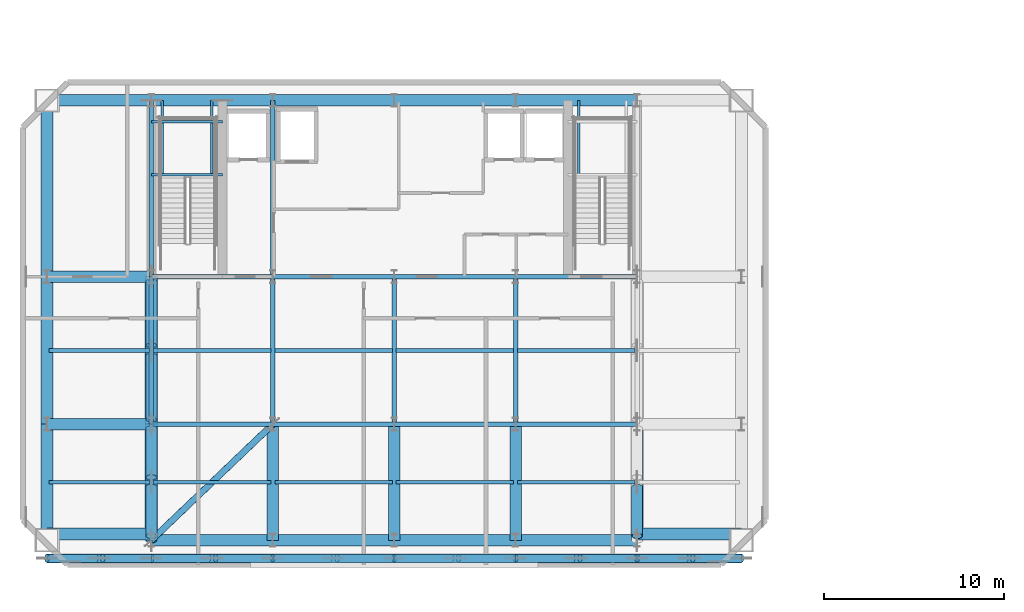
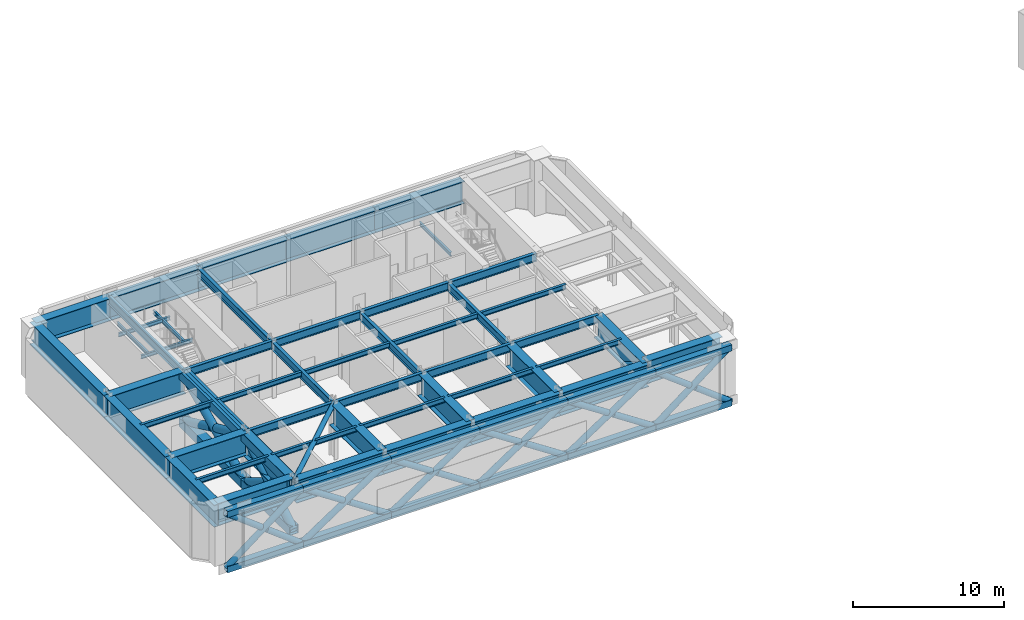
# One storey, part 3 of 15: 50 beams, 42 members.
"""IFC4 building model written with IfcOpenShell, lengths in metres."""

from ifc_helpers import new_model, si_unit, direction, frame, origin, origin_2d, place, context, subcontext, project, spatial, hollow_rectangle, hollow_circle, i_section, extrude, material, material_profile, profile_set, type_object, element, save


model = new_model("IFC4")

# Units and contexts
model_context = context("Model", 3, precision=1e-05, world=origin(), true_north=direction((0.0, 1.0)))
body_context = subcontext(model_context, "Body", "Model", "MODEL_VIEW")
ifc_project = project(units=[si_unit("LENGTHUNIT", "METRE"), si_unit("AREAUNIT", "SQUARE_METRE"), si_unit("VOLUMEUNIT", "CUBIC_METRE"), si_unit("PLANEANGLEUNIT", "RADIAN"), si_unit("MASSUNIT", "GRAM", prefix="KILO")], contexts=[model_context])

# Site, building, storey
site_placement = place(None, origin())
site = spatial("IfcSite", under=ifc_project, at=site_placement, CompositionType="ELEMENT")
building_placement = place(site_placement, origin())
building = spatial("IfcBuilding", under=site, at=building_placement, Name="Haevon Station Towers", CompositionType="ELEMENT")
storey_placement = place(building_placement, frame((0.0, 0.0, 192.300048828125)))
storey = spatial("IfcBuildingStorey", under=building, at=storey_placement, Name="L53", CompositionType="ELEMENT", Elevation=192.300048828125)

# Beams
ifc_material_1 = material(Name="Steel S355", Category="steel")
ifc_material_profile_1 = material_profile(ifc_material_1, i_section(OverallWidth=0.25, OverallDepth=0.64990234375, WebThickness=0.012939453125, FlangeThickness=0.02197265625, at=origin_2d()), Name="H-650x250x13x22")
ifc_profile_set_1 = profile_set([ifc_material_profile_1], Name="Steel S355")
beam_type_1 = type_object("IfcBeamType", Name="BM-G650", PredefinedType="BEAM", material=ifc_profile_set_1)
for number, where, z_axis, x_axis, name in (
    (1, (24.0, 30.0, 4.175048828125), (1.0, 0.0, 0.0), (0.0, 1.0, 0.0), "BM-T1U-L53-02-02"),
    (2, (30.75, 30.0, 4.175048828125), (1.0, 0.0, 0.0), (0.0, 1.0, 0.0), "BM-T1U-L53-02-03"),
    (3, (37.5, 30.0, 4.175048828125), (1.0, 0.0, 0.0), (0.0, 1.0, 0.0), "BM-T1U-L53-02-04"),
    (4, (44.25, 30.0, 4.175048828125), (1.0, 0.0, 0.0), (0.0, 1.0, 0.0), "BM-T1U-L53-02-05"),
    (5, (24.0, 38.199951171875, 4.175048828125), (1.0, 0.0, 0.0), (0.0, 1.0, 0.0), "BM-T1U-L53-03-02"),
    (6, (30.75, 38.199951171875, 4.175048828125), (1.0, 0.0, 0.0), (0.0, 1.0, 0.0), "BM-T1U-L53-03-03"),
    (7, (37.5, 38.199951171875, 4.175048828125), (1.0, 0.0, 0.0), (0.0, 1.0, 0.0), "BM-T1U-L53-03-04"),
    (8, (44.25, 38.199951171875, 4.175048828125), (1.0, 0.0, 0.0), (0.0, 1.0, 0.0), "BM-T1U-L53-03-05"),
):
    element("IfcBeam", number, at=place(storey_placement, frame(where, z_axis=z_axis, x_axis=x_axis)), inside=storey, type_object=beam_type_1, Name=name, PredefinedType="BEAM", context=body_context, shape_type="SweptSolid", body=[
        extrude(i_section(OverallWidth=0.25, OverallDepth=0.64990234375, WebThickness=0.012939453125, FlangeThickness=0.02197265625, at=origin_2d()), origin(), (0.0, 0.0, 1.0), 6.75),
    ])
beam_1_placement = place(storey_placement, frame((24.0, 30.0, 4.175048828125), z_axis=(0.0, 1.0, 0.0), x_axis=(-1.0, 0.0, 0.0)))
element("IfcBeam", 9, at=beam_1_placement, inside=storey, type_object=beam_type_1, Name="BM-T1V-L53-02-02", PredefinedType="BEAM", context=body_context, shape_type="SweptSolid", body=[
    extrude(i_section(OverallWidth=0.25, OverallDepth=0.64990234375, WebThickness=0.012939453125, FlangeThickness=0.02197265625, at=origin_2d()), origin(), (0.0, 0.0, 1.0), 8.199951171875),
])
beam_2_placement = place(storey_placement, frame((24.0, 38.199951171875, 4.175048828125), z_axis=(0.0, 1.0, 0.0), x_axis=(-1.0, 0.0, 0.0)))
element("IfcBeam", 10, at=beam_2_placement, inside=storey, type_object=beam_type_1, Name="BM-T1V-L53-02-03", PredefinedType="BEAM", context=body_context, shape_type="SweptSolid", body=[
    extrude(i_section(OverallWidth=0.25, OverallDepth=0.64990234375, WebThickness=0.012939453125, FlangeThickness=0.02197265625, at=origin_2d()), origin(), (0.0, 0.0, 1.0), 9.800048828125),
])
beam_3_placement = place(storey_placement, frame((30.75, 30.0, 4.175048828125), z_axis=(0.0, 1.0, 0.0), x_axis=(-1.0, 0.0, 0.0)))
element("IfcBeam", 11, at=beam_3_placement, inside=storey, type_object=beam_type_1, Name="BM-T1V-L53-03-02", PredefinedType="BEAM", context=body_context, shape_type="SweptSolid", body=[
    extrude(i_section(OverallWidth=0.25, OverallDepth=0.64990234375, WebThickness=0.012939453125, FlangeThickness=0.02197265625, at=origin_2d()), origin(), (0.0, 0.0, 1.0), 8.199951171875),
])
beam_4_placement = place(storey_placement, frame((30.75, 38.199951171875, 4.175048828125), z_axis=(0.0, 1.0, 0.0), x_axis=(-1.0, 0.0, 0.0)))
element("IfcBeam", 12, at=beam_4_placement, inside=storey, type_object=beam_type_1, Name="BM-T1V-L53-03-03", PredefinedType="BEAM", context=body_context, shape_type="SweptSolid", body=[
    extrude(i_section(OverallWidth=0.25, OverallDepth=0.64990234375, WebThickness=0.012939453125, FlangeThickness=0.02197265625, at=origin_2d()), origin(), (0.0, 0.0, 1.0), 9.800048828125),
])
for number, where, z_axis, x_axis, name in (
    (13, (37.5, 30.0, 4.175048828125), (0.0, 1.0, 0.0), (-1.0, 0.0, 0.0), "BM-T1V-L53-04-02"),
    (14, (44.25, 30.0, 4.175048828125), (0.0, 1.0, 0.0), (-1.0, 0.0, 0.0), "BM-T1V-L53-05-02"),
):
    element("IfcBeam", number, at=place(storey_placement, frame(where, z_axis=z_axis, x_axis=x_axis)), inside=storey, type_object=beam_type_1, Name=name, PredefinedType="BEAM", context=body_context, shape_type="SweptSolid", body=[
        extrude(i_section(OverallWidth=0.25, OverallDepth=0.64990234375, WebThickness=0.012939453125, FlangeThickness=0.02197265625, at=origin_2d()), origin(), (0.0, 0.0, 1.0), 8.199951171875),
    ])
ifc_material_profile_2 = material_profile(ifc_material_1, i_section(OverallWidth=0.199951171875, OverallDepth=0.39990234375, WebThickness=0.008056640625, FlangeThickness=0.012939453125, at=origin_2d()), Name="H-400x200x8x13")
ifc_profile_set_2 = profile_set([ifc_material_profile_2], Name="Steel S355")
beam_type_2 = type_object("IfcBeamType", Name="BM-J400", PredefinedType="JOIST", material=ifc_profile_set_2)
beam_5_placement = place(storey_placement, frame((18.31005859375, 26.77490234375, 4.300048828125), z_axis=(1.0, 0.0, 0.0), x_axis=(0.0, 1.0, 0.0)))
element("IfcBeam", 15, at=beam_5_placement, inside=storey, type_object=beam_type_2, Name="BM-T1J-L53-01-01", PredefinedType="JOIST", context=body_context, shape_type="SweptSolid", body=[
    extrude(i_section(OverallWidth=0.199951171875, OverallDepth=0.39990234375, WebThickness=0.008056640625, FlangeThickness=0.012939453125, at=origin_2d()), origin(), (0.0, 0.0, 1.0), 5.579833984375),
])
for number, where, z_axis, x_axis, name in (
    (16, (24.110107421875, 26.77490234375, 4.300048828125), (1.0, 0.0, 0.0), (0.0, 1.0, 0.0), "BM-T1J-L53-01-02"),
    (17, (30.860107421875, 26.77490234375, 4.300048828125), (1.0, 0.0, 0.0), (0.0, 1.0, 0.0), "BM-T1J-L53-01-03"),
    (18, (37.610107421875, 26.77490234375, 4.300048828125), (1.0, 0.0, 0.0), (0.0, 1.0, 0.0), "BM-T1J-L53-01-04"),
    (19, (44.360107421875, 26.77490234375, 4.300048828125), (1.0, 0.0, 0.0), (0.0, 1.0, 0.0), "BM-T1J-L53-01-05"),
):
    element("IfcBeam", number, at=place(storey_placement, frame(where, z_axis=z_axis, x_axis=x_axis)), inside=storey, type_object=beam_type_2, Name=name, PredefinedType="JOIST", context=body_context, shape_type="SweptSolid", body=[
        extrude(i_section(OverallWidth=0.199951171875, OverallDepth=0.39990234375, WebThickness=0.008056640625, FlangeThickness=0.012939453125, at=origin_2d()), origin(), (0.0, 0.0, 1.0), 6.52978515625),
    ])
beam_6_placement = place(storey_placement, frame((18.31005859375, 34.10009765625, 4.300048828125), z_axis=(1.0, 0.0, 0.0), x_axis=(0.0, 1.0, 0.0)))
element("IfcBeam", 20, at=beam_6_placement, inside=storey, type_object=beam_type_2, Name="BM-T1J-L53-02-01", PredefinedType="JOIST", context=body_context, shape_type="SweptSolid", body=[
    extrude(i_section(OverallWidth=0.199951171875, OverallDepth=0.39990234375, WebThickness=0.008056640625, FlangeThickness=0.012939453125, at=origin_2d()), origin(), (0.0, 0.0, 1.0), 5.579833984375),
])
for number, where, z_axis, x_axis, name in (
    (21, (24.110107421875, 34.10009765625, 4.300048828125), (1.0, 0.0, 0.0), (0.0, 1.0, 0.0), "BM-T1J-L53-02-02"),
    (22, (30.860107421875, 34.10009765625, 4.300048828125), (1.0, 0.0, 0.0), (0.0, 1.0, 0.0), "BM-T1J-L53-02-03"),
    (23, (37.610107421875, 34.10009765625, 4.300048828125), (1.0, 0.0, 0.0), (0.0, 1.0, 0.0), "BM-T1J-L53-02-04"),
    (24, (44.360107421875, 34.10009765625, 4.300048828125), (1.0, 0.0, 0.0), (0.0, 1.0, 0.0), "BM-T1J-L53-02-05"),
):
    element("IfcBeam", number, at=place(storey_placement, frame(where, z_axis=z_axis, x_axis=x_axis)), inside=storey, type_object=beam_type_2, Name=name, PredefinedType="JOIST", context=body_context, shape_type="SweptSolid", body=[
        extrude(i_section(OverallWidth=0.199951171875, OverallDepth=0.39990234375, WebThickness=0.008056640625, FlangeThickness=0.012939453125, at=origin_2d()), origin(), (0.0, 0.0, 1.0), 6.52978515625),
    ])
ifc_material_profile_3 = material_profile(ifc_material_1, i_section(OverallWidth=0.14990234375, OverallDepth=0.300048828125, WebThickness=0.006591796875, FlangeThickness=0.009033203125, at=origin_2d()), Name="H-300x150x6.5x9")
ifc_profile_set_3 = profile_set([ifc_material_profile_3], Name="Steel S355")
beam_type_3 = type_object("IfcBeamType", Name="BM-LIN300", PredefinedType="LINTEL", material=ifc_profile_set_3)
for number, where, z_axis, x_axis, name in (
    (25, (24.0, 43.864013671875, 2.050048828125), (1.0, 0.0, 0.0), (0.0, 1.0, 0.0), "BM-ST1L-L53-1-S"),
    (26, (24.0, 46.820068359375, 2.050048828125), (1.0, 0.0, 0.0), (0.0, 1.0, 0.0), "BM-ST1L-L53-1-N"),
):
    element("IfcBeam", number, at=place(storey_placement, frame(where, z_axis=z_axis, x_axis=x_axis)), inside=storey, type_object=beam_type_3, Name=name, PredefinedType="LINTEL", context=body_context, shape_type="SweptSolid", body=[
        extrude(i_section(OverallWidth=0.14990234375, OverallDepth=0.300048828125, WebThickness=0.006591796875, FlangeThickness=0.009033203125, at=origin_2d()), origin(), (0.0, 0.0, 1.0), 3.949951171875),
    ])
for number, where, z_axis, x_axis, name in (
    (27, (24.60009765625, 43.864013671875, 2.050048828125), (0.0, 1.0, 0.0), (-1.0, 0.0, 0.0), "BM-ST1L-L53-1-W"),
    (28, (27.35009765625, 43.864013671875, 2.050048828125), (0.0, 1.0, 0.0), (-1.0, 0.0, 0.0), "BM-ST1L-L53-1-E"),
    (29, (47.75, 43.864013671875, 2.050048828125), (0.0, 1.0, 0.0), (-1.0, 0.0, 0.0), "BM-ST2L-L53-1-W"),
):
    element("IfcBeam", number, at=place(storey_placement, frame(where, z_axis=z_axis, x_axis=x_axis)), inside=storey, type_object=beam_type_3, Name=name, PredefinedType="LINTEL", context=body_context, shape_type="SweptSolid", body=[
        extrude(i_section(OverallWidth=0.14990234375, OverallDepth=0.300048828125, WebThickness=0.006591796875, FlangeThickness=0.009033203125, at=origin_2d()), origin(), (0.0, 0.0, 1.0), 4.135986328125),
    ])
ifc_material_2 = material(Name="Steel S460", Category="steel")
ifc_material_profile_4 = material_profile(ifc_material_2, i_section(OverallWidth=0.64990234375, OverallDepth=1.800048828125, WebThickness=0.02490234375, FlangeThickness=0.0400390625, at=origin_2d()), Name="H-1800x650x25x40")
ifc_profile_set_4 = profile_set([ifc_material_profile_4], Name="Steel S460")
beam_type_4 = type_object("IfcBeamType", Name="BM-TG1800", PredefinedType="BEAM", material=ifc_profile_set_4)
for number, where, z_axis, x_axis, name in (
    (30, (24.0, 23.550048828125, 3.599853515625), (1.0, 0.0, 0.0), (0.0, 1.0, 0.0), "BM-T1U-L53-01-02"),
    (31, (30.75, 23.550048828125, 3.599853515625), (1.0, 0.0, 0.0), (0.0, 1.0, 0.0), "BM-T1U-L53-01-03"),
    (32, (37.5, 23.550048828125, 3.599853515625), (1.0, 0.0, 0.0), (0.0, 1.0, 0.0), "BM-T1U-L53-01-04"),
    (33, (44.25, 23.550048828125, 3.599853515625), (1.0, 0.0, 0.0), (0.0, 1.0, 0.0), "BM-T1U-L53-01-05"),
):
    element("IfcBeam", number, at=place(storey_placement, frame(where, z_axis=z_axis, x_axis=x_axis)), inside=storey, type_object=beam_type_4, Name=name, PredefinedType="BEAM", context=body_context, shape_type="SweptSolid", body=[
        extrude(i_section(OverallWidth=0.64990234375, OverallDepth=1.800048828125, WebThickness=0.02490234375, FlangeThickness=0.0400390625, at=origin_2d()), origin(), (0.0, 0.0, 1.0), 6.75),
    ])
for number, where, z_axis, x_axis, name in (
    (34, (18.199951171875, 30.0, 3.599853515625), (1.0, 0.0, 0.0), (0.0, 1.0, 0.0), "BM-T1U-L53-02-01"),
    (35, (18.199951171875, 38.199951171875, 3.599853515625), (1.0, 0.0, 0.0), (0.0, 1.0, 0.0), "BM-T1U-L53-03-01"),
    (36, (18.199951171875, 48.0, 3.599853515625), (1.0, 0.0, 0.0), (0.0, 1.0, 0.0), "BM-T1U-L53-04-01"),
):
    element("IfcBeam", number, at=place(storey_placement, frame(where, z_axis=z_axis, x_axis=x_axis)), inside=storey, type_object=beam_type_4, Name=name, PredefinedType="BEAM", context=body_context, shape_type="SweptSolid", body=[
        extrude(i_section(OverallWidth=0.64990234375, OverallDepth=1.800048828125, WebThickness=0.02490234375, FlangeThickness=0.0400390625, at=origin_2d()), origin(), (0.0, 0.0, 1.0), 5.800048828125),
    ])
for number, where, z_axis, x_axis, name in (
    (37, (24.0, 48.0, 3.599853515625), (1.0, 0.0, 0.0), (0.0, 1.0, 0.0), "BM-T1U-L53-04-02"),
    (38, (30.75, 48.0, 3.599853515625), (1.0, 0.0, 0.0), (0.0, 1.0, 0.0), "BM-T1U-L53-04-03"),
    (39, (37.5, 48.0, 3.599853515625), (1.0, 0.0, 0.0), (0.0, 1.0, 0.0), "BM-T1U-L53-04-04"),
    (40, (44.25, 48.0, 3.599853515625), (1.0, 0.0, 0.0), (0.0, 1.0, 0.0), "BM-T1U-L53-04-05"),
):
    element("IfcBeam", number, at=place(storey_placement, frame(where, z_axis=z_axis, x_axis=x_axis)), inside=storey, type_object=beam_type_4, Name=name, PredefinedType="BEAM", context=body_context, shape_type="SweptSolid", body=[
        extrude(i_section(OverallWidth=0.64990234375, OverallDepth=1.800048828125, WebThickness=0.02490234375, FlangeThickness=0.0400390625, at=origin_2d()), origin(), (0.0, 0.0, 1.0), 6.75),
    ])
beam_7_placement = place(storey_placement, frame((18.199951171875, 23.550048828125, 3.599853515625), z_axis=(0.0, 1.0, 0.0), x_axis=(-1.0, 0.0, 0.0)))
element("IfcBeam", 41, at=beam_7_placement, inside=storey, type_object=beam_type_4, Name="BM-T1V-L53-01-01", PredefinedType="BEAM", context=body_context, shape_type="SweptSolid", body=[
    extrude(i_section(OverallWidth=0.64990234375, OverallDepth=1.800048828125, WebThickness=0.02490234375, FlangeThickness=0.0400390625, at=origin_2d()), origin(), (0.0, 0.0, 1.0), 6.449951171875),
])
beam_8_placement = place(storey_placement, frame((18.199951171875, 30.0, 3.599853515625), z_axis=(0.0, 1.0, 0.0), x_axis=(-1.0, 0.0, 0.0)))
element("IfcBeam", 42, at=beam_8_placement, inside=storey, type_object=beam_type_4, Name="BM-T1V-L53-01-02", PredefinedType="BEAM", context=body_context, shape_type="SweptSolid", body=[
    extrude(i_section(OverallWidth=0.64990234375, OverallDepth=1.800048828125, WebThickness=0.02490234375, FlangeThickness=0.0400390625, at=origin_2d()), origin(), (0.0, 0.0, 1.0), 8.199951171875),
])
beam_9_placement = place(storey_placement, frame((18.199951171875, 38.199951171875, 3.599853515625), z_axis=(0.0, 1.0, 0.0), x_axis=(-1.0, 0.0, 0.0)))
element("IfcBeam", 43, at=beam_9_placement, inside=storey, type_object=beam_type_4, Name="BM-T1V-L53-01-03", PredefinedType="BEAM", context=body_context, shape_type="SweptSolid", body=[
    extrude(i_section(OverallWidth=0.64990234375, OverallDepth=1.800048828125, WebThickness=0.02490234375, FlangeThickness=0.0400390625, at=origin_2d()), origin(), (0.0, 0.0, 1.0), 9.800048828125),
])
for number, where, z_axis, x_axis, name in (
    (44, (24.0, 23.550048828125, 3.599853515625), (0.0, 1.0, 0.0), (-1.0, 0.0, 0.0), "BM-T1V-L53-02-01"),
    (45, (30.75, 23.550048828125, 3.599853515625), (0.0, 1.0, 0.0), (-1.0, 0.0, 0.0), "BM-T1V-L53-03-01"),
    (46, (37.5, 23.550048828125, 3.599853515625), (0.0, 1.0, 0.0), (-1.0, 0.0, 0.0), "BM-T1V-L53-04-01"),
    (47, (44.25, 23.550048828125, 3.599853515625), (0.0, 1.0, 0.0), (-1.0, 0.0, 0.0), "BM-T1V-L53-05-01"),
    (48, (51.0, 23.550048828125, 3.599853515625), (0.0, 1.0, 0.0), (-1.0, 0.0, 0.0), "BM-T1V-L53-06-01"),
):
    element("IfcBeam", number, at=place(storey_placement, frame(where, z_axis=z_axis, x_axis=x_axis)), inside=storey, type_object=beam_type_4, Name=name, PredefinedType="BEAM", context=body_context, shape_type="SweptSolid", body=[
        extrude(i_section(OverallWidth=0.64990234375, OverallDepth=1.800048828125, WebThickness=0.02490234375, FlangeThickness=0.0400390625, at=origin_2d()), origin(), (0.0, 0.0, 1.0), 6.449951171875),
    ])
for number, where, z_axis, x_axis, name in (
    (49, (18.199951171875, 23.89990234375, 3.599853515625), (1.0, 0.0, 0.0), (0.0, 1.0, 0.0), "BM-T1CTRN-L53-1"),
    (50, (51.0, 23.89990234375, 3.599853515625), (1.0, 0.0, 0.0), (0.0, 1.0, 0.0), "BM-T1CTRN-L53-2"),
):
    element("IfcBeam", number, at=place(storey_placement, frame(where, z_axis=z_axis, x_axis=x_axis)), inside=storey, type_object=beam_type_4, Name=name, PredefinedType="BEAM", context=body_context, shape_type="SweptSolid", body=[
        extrude(i_section(OverallWidth=0.64990234375, OverallDepth=1.800048828125, WebThickness=0.02490234375, FlangeThickness=0.0400390625, at=origin_2d()), origin(), (0.0, 0.0, 1.0), 5.800048828125),
    ])

# Members
ifc_material_profile_5 = material_profile(ifc_material_2, hollow_circle(Radius=0.228515625, WallThickness=0.02001953125, at=origin_2d()), Name="CHS-457x20")
ifc_profile_set_5 = profile_set([ifc_material_profile_5], Name="Steel S460")
member_type_1 = type_object("IfcMemberType", Name="BRBLT-457", PredefinedType="BRACE", material=ifc_profile_set_5)
member_1_placement = place(storey_placement, frame((18.199951171875, 22.550048828125, -0.080078125), z_axis=(0.792730656289, 0.0, 0.609572068405), x_axis=(0.0, 1.0, 0.0)))
element("IfcMember", 51, at=member_1_placement, inside=storey, type_object=member_type_1, Name="Tower 1 L53 Belt Truss Continuous Diagonal", PredefinedType="BRACE", context=body_context, shape_type="SweptSolid", body=[
    extrude(hollow_circle(Radius=0.228515625, WallThickness=0.02001953125, at=origin_2d()), origin(), (0.0, 0.0, 1.0), 7.316650390625),
])
for number, where, z_axis, x_axis, name in (
    (52, (18.199951171875, 22.550048828125, 4.3798828125), (0.792759399457, 0.0, -0.609534686932), (0.0, 1.0, 0.0), "Tower 1 L53 Belt Truss Split Counter Diagonal Lower"),
    (53, (21.290771484375, 22.550048828125, 2.00341796875), (0.792698337857, 0.0, -0.609614095276), (0.0, 1.0, 0.0), "Tower 1 L53 Belt Truss Split Counter Diagonal Upper"),
):
    element("IfcMember", number, at=place(storey_placement, frame(where, z_axis=z_axis, x_axis=x_axis)), inside=storey, type_object=member_type_1, Name=name, PredefinedType="BRACE", context=body_context, shape_type="SweptSolid", body=[
        extrude(hollow_circle(Radius=0.228515625, WallThickness=0.02001953125, at=origin_2d()), origin(), (0.0, 0.0, 1.0), 3.417724609375),
    ])
member_2_placement = place(storey_placement, frame((24.0, 22.550048828125, -0.080078125), z_axis=(0.834327389543, 0.0, 0.551269269104), x_axis=(0.0, 1.0, 0.0)))
element("IfcMember", 54, at=member_2_placement, inside=storey, type_object=member_type_1, Name="Tower 1 L53 Belt Truss Continuous Diagonal", PredefinedType="BRACE", context=body_context, shape_type="SweptSolid", body=[
    extrude(hollow_circle(Radius=0.228515625, WallThickness=0.02001953125, at=origin_2d()), origin(), (0.0, 0.0, 1.0), 8.09033203125),
])
for number, where, z_axis, x_axis, name in (
    (55, (24.0, 22.550048828125, 4.3798828125), (0.834323725923, 0.0, -0.551274813829), (0.0, 1.0, 0.0), "Tower 1 L53 Belt Truss Split Counter Diagonal Lower"),
    (56, (27.57568359375, 22.550048828125, 2.017333984375), (0.834323725923, 0.0, -0.551274813829), (0.0, 1.0, 0.0), "Tower 1 L53 Belt Truss Split Counter Diagonal Upper"),
):
    element("IfcMember", number, at=place(storey_placement, frame(where, z_axis=z_axis, x_axis=x_axis)), inside=storey, type_object=member_type_1, Name=name, PredefinedType="BRACE", context=body_context, shape_type="SweptSolid", body=[
        extrude(hollow_circle(Radius=0.228515625, WallThickness=0.02001953125, at=origin_2d()), origin(), (0.0, 0.0, 1.0), 3.8046875),
    ])
member_3_placement = place(storey_placement, frame((30.75, 22.550048828125, -0.080078125), z_axis=(0.834327389543, 0.0, 0.551269269104), x_axis=(0.0, 1.0, 0.0)))
element("IfcMember", 57, at=member_3_placement, inside=storey, type_object=member_type_1, Name="Tower 1 L53 Belt Truss Continuous Diagonal", PredefinedType="BRACE", context=body_context, shape_type="SweptSolid", body=[
    extrude(hollow_circle(Radius=0.228515625, WallThickness=0.02001953125, at=origin_2d()), origin(), (0.0, 0.0, 1.0), 8.09033203125),
])
for number, where, z_axis, x_axis, name in (
    (58, (30.75, 22.550048828125, 4.3798828125), (0.834323725923, 0.0, -0.551274813829), (0.0, 1.0, 0.0), "Tower 1 L53 Belt Truss Split Counter Diagonal Lower"),
    (59, (34.32568359375, 22.550048828125, 2.017333984375), (0.834323725923, 0.0, -0.551274813829), (0.0, 1.0, 0.0), "Tower 1 L53 Belt Truss Split Counter Diagonal Upper"),
):
    element("IfcMember", number, at=place(storey_placement, frame(where, z_axis=z_axis, x_axis=x_axis)), inside=storey, type_object=member_type_1, Name=name, PredefinedType="BRACE", context=body_context, shape_type="SweptSolid", body=[
        extrude(hollow_circle(Radius=0.228515625, WallThickness=0.02001953125, at=origin_2d()), origin(), (0.0, 0.0, 1.0), 3.8046875),
    ])
member_4_placement = place(storey_placement, frame((37.5, 22.550048828125, -0.080078125), z_axis=(0.834327389543, 0.0, 0.551269269104), x_axis=(0.0, 1.0, 0.0)))
element("IfcMember", 60, at=member_4_placement, inside=storey, type_object=member_type_1, Name="Tower 1 L53 Belt Truss Continuous Diagonal", PredefinedType="BRACE", context=body_context, shape_type="SweptSolid", body=[
    extrude(hollow_circle(Radius=0.228515625, WallThickness=0.02001953125, at=origin_2d()), origin(), (0.0, 0.0, 1.0), 8.09033203125),
])
for number, where, z_axis, x_axis, name in (
    (61, (37.5, 22.550048828125, 4.3798828125), (0.834323725923, 0.0, -0.551274813829), (0.0, 1.0, 0.0), "Tower 1 L53 Belt Truss Split Counter Diagonal Lower"),
    (62, (41.07568359375, 22.550048828125, 2.017333984375), (0.834323725923, 0.0, -0.551274813829), (0.0, 1.0, 0.0), "Tower 1 L53 Belt Truss Split Counter Diagonal Upper"),
):
    element("IfcMember", number, at=place(storey_placement, frame(where, z_axis=z_axis, x_axis=x_axis)), inside=storey, type_object=member_type_1, Name=name, PredefinedType="BRACE", context=body_context, shape_type="SweptSolid", body=[
        extrude(hollow_circle(Radius=0.228515625, WallThickness=0.02001953125, at=origin_2d()), origin(), (0.0, 0.0, 1.0), 3.8046875),
    ])
member_5_placement = place(storey_placement, frame((44.25, 22.550048828125, -0.080078125), z_axis=(0.834327389543, 0.0, 0.551269269104), x_axis=(0.0, 1.0, 0.0)))
element("IfcMember", 63, at=member_5_placement, inside=storey, type_object=member_type_1, Name="Tower 1 L53 Belt Truss Continuous Diagonal", PredefinedType="BRACE", context=body_context, shape_type="SweptSolid", body=[
    extrude(hollow_circle(Radius=0.228515625, WallThickness=0.02001953125, at=origin_2d()), origin(), (0.0, 0.0, 1.0), 8.09033203125),
])
for number, where, z_axis, x_axis, name in (
    (64, (44.25, 22.550048828125, 4.3798828125), (0.834323725923, 0.0, -0.551274813829), (0.0, 1.0, 0.0), "Tower 1 L53 Belt Truss Split Counter Diagonal Lower"),
    (65, (47.82568359375, 22.550048828125, 2.017333984375), (0.834323725923, 0.0, -0.551274813829), (0.0, 1.0, 0.0), "Tower 1 L53 Belt Truss Split Counter Diagonal Upper"),
):
    element("IfcMember", number, at=place(storey_placement, frame(where, z_axis=z_axis, x_axis=x_axis)), inside=storey, type_object=member_type_1, Name=name, PredefinedType="BRACE", context=body_context, shape_type="SweptSolid", body=[
        extrude(hollow_circle(Radius=0.228515625, WallThickness=0.02001953125, at=origin_2d()), origin(), (0.0, 0.0, 1.0), 3.8046875),
    ])
member_6_placement = place(storey_placement, frame((51.0, 22.550048828125, -0.080078125), z_axis=(0.792730656289, 0.0, 0.609572068405), x_axis=(0.0, 1.0, 0.0)))
element("IfcMember", 66, at=member_6_placement, inside=storey, type_object=member_type_1, Name="Tower 1 L53 Belt Truss Continuous Diagonal", PredefinedType="BRACE", context=body_context, shape_type="SweptSolid", body=[
    extrude(hollow_circle(Radius=0.228515625, WallThickness=0.02001953125, at=origin_2d()), origin(), (0.0, 0.0, 1.0), 7.316650390625),
])
member_7_placement = place(storey_placement, frame((51.0, 22.550048828125, 4.3798828125), z_axis=(0.792732857654, 0.0, -0.609569205584), x_axis=(0.0, 1.0, 0.0)))
element("IfcMember", 67, at=member_7_placement, inside=storey, type_object=member_type_1, Name="Tower 1 L53 Belt Truss Split Counter Diagonal Lower", PredefinedType="BRACE", context=body_context, shape_type="SweptSolid", body=[
    extrude(hollow_circle(Radius=0.228515625, WallThickness=0.02001953125, at=origin_2d()), origin(), (0.0, 0.0, 1.0), 3.41748046875),
])
member_8_placement = place(storey_placement, frame((54.090576171875, 22.550048828125, 2.00341796875), z_axis=(0.792724882414, 0.0, -0.609579577088), x_axis=(0.0, 1.0, 0.0)))
element("IfcMember", 68, at=member_8_placement, inside=storey, type_object=member_type_1, Name="Tower 1 L53 Belt Truss Split Counter Diagonal Upper", PredefinedType="BRACE", context=body_context, shape_type="SweptSolid", body=[
    extrude(hollow_circle(Radius=0.228515625, WallThickness=0.02001953125, at=origin_2d()), origin(), (0.0, 0.0, 1.0), 3.41796875),
])
ifc_material_profile_6 = material_profile(ifc_material_2, hollow_circle(Radius=0.3046875, WallThickness=0.02490234375, at=origin_2d()), Name="CHS-609.6x25")
ifc_profile_set_6 = profile_set([ifc_material_profile_6], Name="Steel S460")
member_type_2 = type_object("IfcMemberType", Name="BROUT-610", PredefinedType="BRACE", material=ifc_profile_set_6)
member_9_placement = place(storey_placement, frame((24.0, 23.550048828125, 0.349853515625), z_axis=(0.0, 0.861586091098, 0.507611473104), x_axis=(-1.0, 0.0, 0.0)))
element("IfcMember", 69, at=member_9_placement, inside=storey, type_object=member_type_2, Name="Tower 1 L53 Outrigger Truss Continuous Web Brace", PredefinedType="BRACE", context=body_context, shape_type="SweptSolid", body=[
    extrude(hollow_circle(Radius=0.3046875, WallThickness=0.02490234375, at=origin_2d()), origin(), (0.0, 0.0, 1.0), 7.486083984375),
])
for number, where, z_axis, x_axis, name in (
    (70, (24.0, 23.791259765625, 4.0078125), (0.0, 0.861600884581, -0.507586362789), (-1.0, 0.0, 0.0), "Tower 1 L53 Outrigger Truss Split Counter Brace Lower"),
    (71, (24.0, 27.048095703125, 2.089111328125), (0.0, 0.861600884581, -0.507586362789), (-1.0, 0.0, 0.0), "Tower 1 L53 Outrigger Truss Split Counter Brace Upper"),
):
    element("IfcMember", number, at=place(storey_placement, frame(where, z_axis=z_axis, x_axis=x_axis)), inside=storey, type_object=member_type_2, Name=name, PredefinedType="BRACE", context=body_context, shape_type="SweptSolid", body=[
        extrude(hollow_circle(Radius=0.3046875, WallThickness=0.02490234375, at=origin_2d()), origin(), (0.0, 0.0, 1.0), 3.14599609375),
    ])
member_10_placement = place(storey_placement, frame((24.0, 30.0, 0.349853515625), z_axis=(0.0, 0.907307590294, 0.42046752145), x_axis=(-1.0, 0.0, 0.0)))
element("IfcMember", 72, at=member_10_placement, inside=storey, type_object=member_type_2, Name="Tower 1 L53 Outrigger Truss Continuous Web Brace", PredefinedType="BRACE", context=body_context, shape_type="SweptSolid", body=[
    extrude(hollow_circle(Radius=0.3046875, WallThickness=0.02490234375, at=origin_2d()), origin(), (0.0, 0.0, 1.0), 9.03759765625),
])
for number, where, z_axis, x_axis, name in (
    (73, (24.0, 30.254150390625, 4.0322265625), (0.0, 0.90731697792, -0.42044726373), (-1.0, 0.0, 0.0), "Tower 1 L53 Outrigger Truss Split Counter Brace Lower"),
    (74, (24.0, 34.3876953125, 2.11669921875), (0.0, 0.90731697792, -0.42044726373), (-1.0, 0.0, 0.0), "Tower 1 L53 Outrigger Truss Split Counter Brace Upper"),
):
    element("IfcMember", number, at=place(storey_placement, frame(where, z_axis=z_axis, x_axis=x_axis)), inside=storey, type_object=member_type_2, Name=name, PredefinedType="BRACE", context=body_context, shape_type="SweptSolid", body=[
        extrude(hollow_circle(Radius=0.3046875, WallThickness=0.02490234375, at=origin_2d()), origin(), (0.0, 0.0, 1.0), 3.921875),
    ])
member_11_placement = place(storey_placement, frame((51.0, 23.791259765625, 4.0078125), z_axis=(0.0, 0.861600884581, -0.507586362789), x_axis=(-1.0, 0.0, 0.0)))
element("IfcMember", 75, at=member_11_placement, inside=storey, type_object=member_type_2, Name="Tower 1 L53 Outrigger Truss Split Counter Brace Lower", PredefinedType="BRACE", context=body_context, shape_type="SweptSolid", body=[
    extrude(hollow_circle(Radius=0.3046875, WallThickness=0.02490234375, at=origin_2d()), origin(), (0.0, 0.0, 1.0), 3.14599609375),
])
ifc_material_profile_7 = material_profile(ifc_material_2, hollow_rectangle(XDim=0.5, YDim=0.5, WallThickness=0.02490234375, at=origin_2d()), Name="RHS-500x500x25")
ifc_profile_set_7 = profile_set([ifc_material_profile_7], Name="Steel S460")
member_type_3 = type_object("IfcMemberType", Name="CHBLT-500", PredefinedType="CHORD", material=ifc_profile_set_7)
for number, where, z_axis, x_axis, name in (
    (76, (18.199951171875, 22.550048828125, -0.080078125), (1.0, 0.0, 0.0), (0.0, 1.0, 0.0), "Tower 1 L53 Belt Truss Bottom Chord"),
    (77, (18.199951171875, 22.550048828125, 4.3798828125), (1.0, 0.0, 0.0), (0.0, 1.0, 0.0), "Tower 1 L53 Belt Truss Top Chord"),
):
    element("IfcMember", number, at=place(storey_placement, frame(where, z_axis=z_axis, x_axis=x_axis)), inside=storey, type_object=member_type_3, Name=name, PredefinedType="CHORD", context=body_context, shape_type="SweptSolid", body=[
        extrude(hollow_rectangle(XDim=0.5, YDim=0.5, WallThickness=0.02490234375, at=origin_2d()), origin(), (0.0, 0.0, 1.0), 5.800048828125),
    ])
for number, where, z_axis, x_axis, name in (
    (78, (24.0, 22.550048828125, -0.080078125), (1.0, 0.0, 0.0), (0.0, 1.0, 0.0), "Tower 1 L53 Belt Truss Bottom Chord"),
    (79, (24.0, 22.550048828125, 4.3798828125), (1.0, 0.0, 0.0), (0.0, 1.0, 0.0), "Tower 1 L53 Belt Truss Top Chord"),
    (80, (30.75, 22.550048828125, -0.080078125), (1.0, 0.0, 0.0), (0.0, 1.0, 0.0), "Tower 1 L53 Belt Truss Bottom Chord"),
    (81, (30.75, 22.550048828125, 4.3798828125), (1.0, 0.0, 0.0), (0.0, 1.0, 0.0), "Tower 1 L53 Belt Truss Top Chord"),
    (82, (37.5, 22.550048828125, -0.080078125), (1.0, 0.0, 0.0), (0.0, 1.0, 0.0), "Tower 1 L53 Belt Truss Bottom Chord"),
    (83, (37.5, 22.550048828125, 4.3798828125), (1.0, 0.0, 0.0), (0.0, 1.0, 0.0), "Tower 1 L53 Belt Truss Top Chord"),
    (84, (44.25, 22.550048828125, -0.080078125), (1.0, 0.0, 0.0), (0.0, 1.0, 0.0), "Tower 1 L53 Belt Truss Bottom Chord"),
    (85, (44.25, 22.550048828125, 4.3798828125), (1.0, 0.0, 0.0), (0.0, 1.0, 0.0), "Tower 1 L53 Belt Truss Top Chord"),
):
    element("IfcMember", number, at=place(storey_placement, frame(where, z_axis=z_axis, x_axis=x_axis)), inside=storey, type_object=member_type_3, Name=name, PredefinedType="CHORD", context=body_context, shape_type="SweptSolid", body=[
        extrude(hollow_rectangle(XDim=0.5, YDim=0.5, WallThickness=0.02490234375, at=origin_2d()), origin(), (0.0, 0.0, 1.0), 6.75),
    ])
for number, where, z_axis, x_axis, name in (
    (86, (51.0, 22.550048828125, -0.080078125), (1.0, 0.0, 0.0), (0.0, 1.0, 0.0), "Tower 1 L53 Belt Truss Bottom Chord"),
    (87, (51.0, 22.550048828125, 4.3798828125), (1.0, 0.0, 0.0), (0.0, 1.0, 0.0), "Tower 1 L53 Belt Truss Top Chord"),
):
    element("IfcMember", number, at=place(storey_placement, frame(where, z_axis=z_axis, x_axis=x_axis)), inside=storey, type_object=member_type_3, Name=name, PredefinedType="CHORD", context=body_context, shape_type="SweptSolid", body=[
        extrude(hollow_rectangle(XDim=0.5, YDim=0.5, WallThickness=0.02490234375, at=origin_2d()), origin(), (0.0, 0.0, 1.0), 5.800048828125),
    ])
ifc_material_profile_8 = material_profile(ifc_material_2, hollow_rectangle(XDim=0.699951171875, YDim=0.699951171875, WallThickness=0.034912109375, at=origin_2d()), Name="RHS-700x700x35")
ifc_profile_set_8 = profile_set([ifc_material_profile_8], Name="Steel S460")
member_type_4 = type_object("IfcMemberType", Name="CHOUT-700", PredefinedType="CHORD", material=ifc_profile_set_8)
for number, where, z_axis, x_axis, name in (
    (88, (24.0, 23.550048828125, 0.349853515625), (0.0, 1.0, 0.0), (-1.0, 0.0, 0.0), "Tower 1 L53 Outrigger Truss Bottom Chord"),
    (89, (24.0, 23.550048828125, 4.14990234375), (0.0, 1.0, 0.0), (-1.0, 0.0, 0.0), "Tower 1 L53 Outrigger Truss Top Chord"),
):
    element("IfcMember", number, at=place(storey_placement, frame(where, z_axis=z_axis, x_axis=x_axis)), inside=storey, type_object=member_type_4, Name=name, PredefinedType="CHORD", context=body_context, shape_type="SweptSolid", body=[
        extrude(hollow_rectangle(XDim=0.699951171875, YDim=0.699951171875, WallThickness=0.034912109375, at=origin_2d()), origin(), (0.0, 0.0, 1.0), 6.449951171875),
    ])
for number, where, z_axis, x_axis, name in (
    (90, (24.0, 30.0, 0.349853515625), (0.0, 1.0, 0.0), (-1.0, 0.0, 0.0), "Tower 1 L53 Outrigger Truss Bottom Chord"),
    (91, (24.0, 30.0, 4.14990234375), (0.0, 1.0, 0.0), (-1.0, 0.0, 0.0), "Tower 1 L53 Outrigger Truss Top Chord"),
):
    element("IfcMember", number, at=place(storey_placement, frame(where, z_axis=z_axis, x_axis=x_axis)), inside=storey, type_object=member_type_4, Name=name, PredefinedType="CHORD", context=body_context, shape_type="SweptSolid", body=[
        extrude(hollow_rectangle(XDim=0.699951171875, YDim=0.699951171875, WallThickness=0.034912109375, at=origin_2d()), origin(), (0.0, 0.0, 1.0), 8.199951171875),
    ])
ifc_material_profile_9 = material_profile(ifc_material_1, hollow_circle(Radius=0.177734375, WallThickness=0.01611328125, at=origin_2d()), Name="CHS-355.6x16")
ifc_profile_set_9 = profile_set([ifc_material_profile_9], Name="Steel S355")
member_type_5 = type_object("IfcMemberType", Name="STTIE-356", PredefinedType="STRUT", material=ifc_profile_set_9)
member_12_placement = place(storey_placement, frame((24.0, 23.550048828125, 4.33984375), z_axis=(0.722993303441, 0.690855037746, 0.0), x_axis=(-0.690855037746, 0.722993303441, 0.0)))
element("IfcMember", 92, at=member_12_placement, inside=storey, type_object=member_type_5, Name="ST-T1TIE-L53", PredefinedType="STRUT", context=body_context, shape_type="SweptSolid", body=[
    extrude(hollow_circle(Radius=0.177734375, WallThickness=0.01611328125, at=origin_2d()), origin(), (0.0, 0.0, 1.0), 9.336181640625),
])

save(model, "model.ifc")
